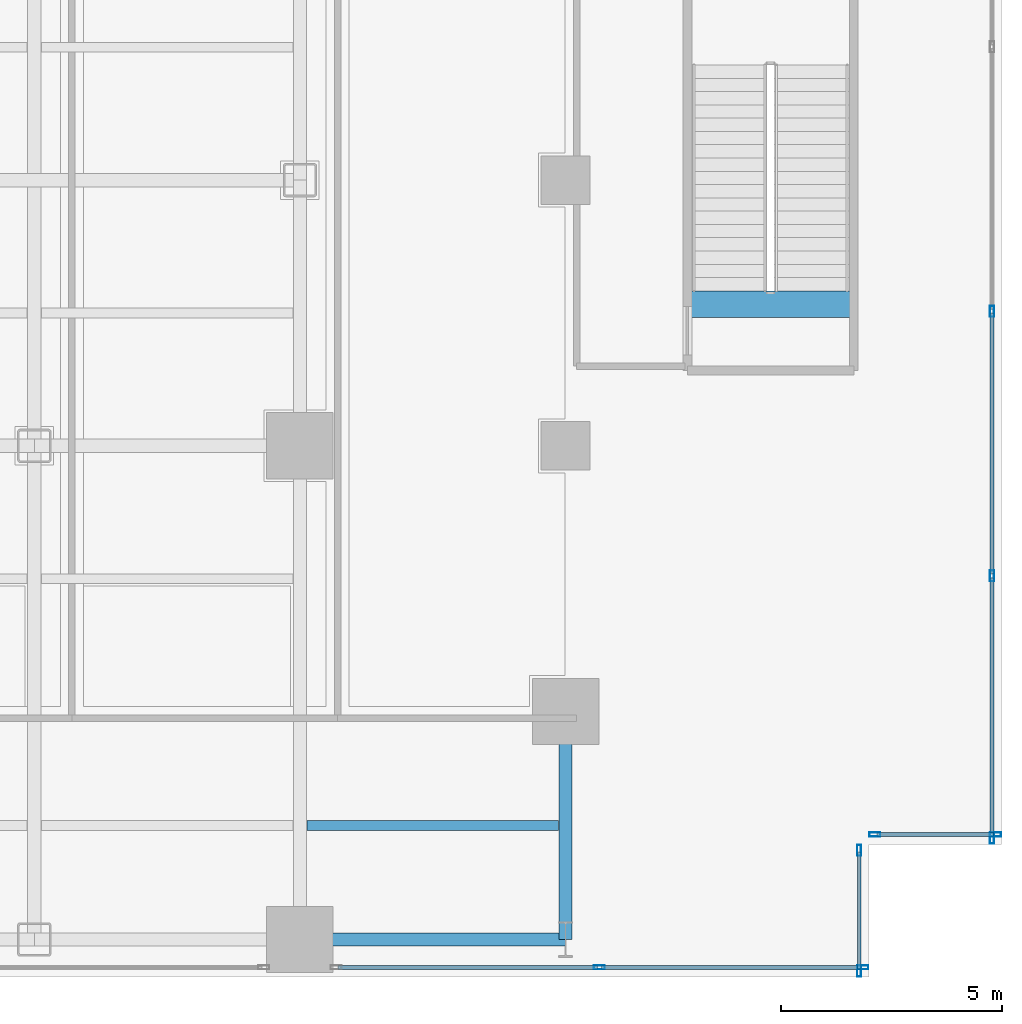
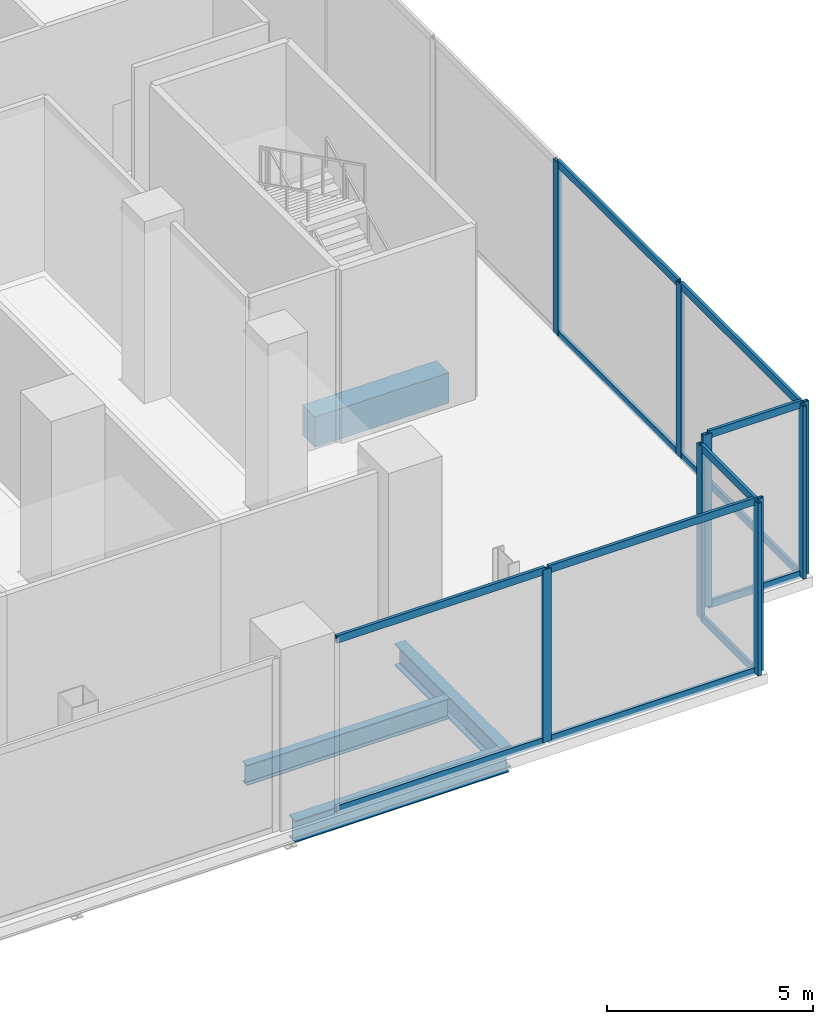
# One storey, part 10 of 27: 21 members, 4 beams, 4 elements without a shape of their own.
"""IFC4 building model written with IfcOpenShell, lengths in metres."""

import ifcopenshell
import ifcopenshell.guid

model = None  # the IFC model being written
_history = None  # IfcOwnerHistory: only IFC2X3 demands one
_inside = {}  # id of a spatial element -> (the spatial element, [elements in it])
_under = {}  # id of a project, library or spatial element -> (it, [spatial elements below it])
_declared = {}  # id of a project -> (the project, [libraries it declares])
_typed = {}  # id of a type object -> (the type object, [elements of that type])
_made_of = {}  # id of a material, layer set ... -> (it, [elements and type objects made of it])


def new_model(schema):
    """Start an empty IFC model of exactly this schema.

    Asked for "IFC4X3", IfcOpenShell would pick the latest addendum, in which some entities
    have other attributes; the version numbers below select the first issue.
    IFC2X3 requires an IfcOwnerHistory on every rooted entity: one is made here for all.
    """
    global model, _history
    if schema == "IFC4X3":
        model = ifcopenshell.file(schema_version=(4, 3, 0, 0))
    else:
        model = ifcopenshell.file(schema=schema)
    _inside.clear()
    _under.clear()
    _declared.clear()
    _typed.clear()
    _made_of.clear()
    _history = None
    if model.schema == "IFC2X3":
        org = make("IfcOrganization", Name="unknown")
        user = make(
            "IfcPersonAndOrganization",
            ThePerson=make("IfcPerson", FamilyName="unknown"),
            TheOrganization=org,
        )
        app = make(
            "IfcApplication",
            ApplicationDeveloper=org,
            Version="unknown",
            ApplicationFullName="unknown",
            ApplicationIdentifier="unknown",
        )
        _history = make(
            "IfcOwnerHistory",
            OwningUser=user,
            OwningApplication=app,
            ChangeAction="ADDED",
            CreationDate=0,
        )
    return model


def make(cls, **values):
    """One entity of the class cls with the attributes given. An attribute that is None is left unset."""
    return model.create_entity(
        cls, **{name: value for name, value in values.items() if value is not None}
    )


def rooted(cls, **values):
    """An entity with a GlobalId (a new one), such as an element, a storey or a relation."""
    return make(cls, GlobalId=ifcopenshell.guid.new(), OwnerHistory=_history, **values)


def si_unit(unit_type, name, prefix=None):
    """IfcSIUnit, for example si_unit("LENGTHUNIT", "METRE", prefix="MILLI")."""
    return make("IfcSIUnit", UnitType=unit_type, Prefix=prefix, Name=name)


def assignment(units):
    """IfcUnitAssignment: the units of a project."""
    return None if units is None else make("IfcUnitAssignment", Units=units)


def point(xyz):
    """IfcCartesianPoint."""
    return None if xyz is None else make("IfcCartesianPoint", Coordinates=xyz)


def direction(xyz):
    """IfcDirection."""
    return None if xyz is None else make("IfcDirection", DirectionRatios=xyz)


def frame(location, z_axis=None, x_axis=None):
    """IfcAxis2Placement3D, a coordinate frame: its origin and axes. An axis left out is left unset."""
    return make(
        "IfcAxis2Placement3D",
        Location=point(location),
        Axis=direction(z_axis),
        RefDirection=direction(x_axis),
    )


def frame_2d(location, x_axis=None):
    """IfcAxis2Placement2D, a coordinate frame in the plane: its origin and x axis."""
    return make(
        "IfcAxis2Placement2D", Location=point(location), RefDirection=direction(x_axis)
    )


def origin():
    """The frame at (0, 0, 0) with its axes left unset."""
    return frame((0.0, 0.0, 0.0))


def origin_2d():
    """The frame at (0, 0) in the plane with its x axis left unset."""
    return frame_2d((0.0, 0.0))


def place(relative_to, where):
    """IfcLocalPlacement: puts the frame where relative to a parent placement (None: the world)."""
    return make(
        "IfcLocalPlacement", PlacementRelTo=relative_to, RelativePlacement=where
    )


def context(
    kind, dimensions, precision=None, world=None, true_north=None, identifier=None
):
    """IfcGeometricRepresentationContext, for example the 3D "Model" context."""
    return make(
        "IfcGeometricRepresentationContext",
        ContextIdentifier=identifier,
        ContextType=kind,
        CoordinateSpaceDimension=dimensions,
        Precision=precision,
        WorldCoordinateSystem=world,
        TrueNorth=true_north,
    )


def subcontext(parent, identifier, kind, view, scale=None):
    """IfcGeometricRepresentationSubContext, for example "Body" below "Model"."""
    return make(
        "IfcGeometricRepresentationSubContext",
        ContextIdentifier=identifier,
        ContextType=kind,
        ParentContext=parent,
        TargetScale=scale,
        TargetView=view,
    )


def project(units=None, contexts=None):
    """IfcProject with its units and contexts."""
    return rooted(
        "IfcProject",
        Name="project",
        RepresentationContexts=contexts,
        UnitsInContext=assignment(units),
    )


def spatial(cls, under=None, at=None, **own):
    """A site, building, storey or space (cls), placed at a placement, below another one or the project."""
    s = rooted(cls, ObjectPlacement=at, **own)
    if under is not None:
        _under.setdefault(under.id(), (under, []))[1].append(s)
    return s


def profile(cls, at=None, kind="AREA", **sizes):
    """A parametric profile (cls). Its sizes go by their IFC names, for example OverallWidth=200.0."""
    return make(cls, ProfileType=kind, Position=at, **sizes)


def rectangle(**sizes):
    """IfcRectangleProfileDef."""
    return profile("IfcRectangleProfileDef", **sizes)


def hollow_rectangle(**sizes):
    """IfcRectangleHollowProfileDef."""
    return profile("IfcRectangleHollowProfileDef", **sizes)


def i_section(**sizes):
    """IfcIShapeProfileDef."""
    return profile("IfcIShapeProfileDef", **sizes)


def extrude(swept, where, along, depth):
    """IfcExtrudedAreaSolid: the profile swept, set in the frame where, extruded along a direction by depth."""
    return make(
        "IfcExtrudedAreaSolid",
        SweptArea=swept,
        Position=where,
        ExtrudedDirection=direction(along),
        Depth=depth,
    )


def shape(context_of_items, identifier, shape_type, items):
    """IfcShapeRepresentation: the items that make up one representation, for example the "Body"."""
    return make(
        "IfcShapeRepresentation",
        ContextOfItems=context_of_items,
        RepresentationIdentifier=identifier,
        RepresentationType=shape_type,
        Items=items,
    )


def material(Name=None, Category=None):
    """IfcMaterial."""
    return make("IfcMaterial", Name=Name, Category=Category)


def layer(
    of_material, thickness, ventilated=None, Name=None, Category=None, Priority=None
):
    """IfcMaterialLayer: one layer of a wall or slab, of a material (None: an air gap)."""
    return make(
        "IfcMaterialLayer",
        Material=of_material,
        LayerThickness=thickness,
        IsVentilated=ventilated,
        Name=Name,
        Category=Category,
        Priority=Priority,
    )


def layer_set(layers, Name=None):
    """IfcMaterialLayerSet."""
    return make("IfcMaterialLayerSet", MaterialLayers=layers, LayerSetName=Name)


def material_profile(
    of_material, cross_section, Name=None, Category=None, Priority=None
):
    """IfcMaterialProfile: a cross section and its material."""
    return make(
        "IfcMaterialProfile",
        Name=Name,
        Material=of_material,
        Profile=cross_section,
        Priority=Priority,
        Category=Category,
    )


def profile_set(profiles, Name=None, composite=None):
    """IfcMaterialProfileSet."""
    return make(
        "IfcMaterialProfileSet",
        Name=Name,
        MaterialProfiles=profiles,
        CompositeProfile=composite,
    )


def made_of(thing, what):
    """Note that an element or type object is made of a material, layer set ...; save() writes the relation."""
    if what is not None:
        _made_of.setdefault(what.id(), (what, []))[1].append(thing)
    return thing


def type_object(cls, material=None, **own):
    """A type object (cls), such as IfcWallType, which elements share."""
    return made_of(rooted(cls, **own), material)


def element(
    cls,
    number,
    at=None,
    inside=None,
    cuts=None,
    type_object=None,
    material=None,
    context=None,
    identifier="Body",
    shape_type=None,
    held_by="IfcProductDefinitionShape",
    body=None,
    shapes=None,
    **own,
):
    """One element of the class cls, such as IfcWall. Its Tag is "e" and its number.

    at: its placement. inside: the storey or other place that contains it. cuts: it is an
    opening in that element (IfcRelVoidsElement). A single representation is given by context,
    identifier, shape_type and body (its items); several are given by shapes. held_by: the class
    of the entity that holds the representations. save() writes the other relations.
    """
    e = rooted(cls, Tag="e%d" % number, ObjectPlacement=at, **own)
    if body is not None:
        shapes = [shape(context, identifier, shape_type, body)]
    if shapes is not None:
        e.Representation = make(held_by, Representations=shapes)
    if inside is not None:
        _inside.setdefault(inside.id(), (inside, []))[1].append(e)
    if cuts is not None:
        rooted(
            "IfcRelVoidsElement", RelatingBuildingElement=cuts, RelatedOpeningElement=e
        )
    if type_object is not None:
        _typed.setdefault(type_object.id(), (type_object, []))[1].append(e)
    return made_of(e, material)


def aggregate(whole, parts):
    """IfcRelAggregates: a whole, such as a stair, and the parts it consists of."""
    return rooted("IfcRelAggregates", RelatingObject=whole, RelatedObjects=parts)


def save(model, path):
    """Write the relations noted so far, then the file.

    IfcRelAggregates (storeys below a building ...), IfcRelContainedInSpatialStructure (elements
    in a storey), IfcRelDefinesByType, IfcRelAssociatesMaterial and IfcRelDeclares: one each for
    every whole, place, type object, material and project.
    """
    for whole, parts in _under.values():
        aggregate(whole, parts)
    for where, things in _inside.values():
        rooted(
            "IfcRelContainedInSpatialStructure",
            RelatedElements=things,
            RelatingStructure=where,
        )
    for kind, things in _typed.values():
        rooted("IfcRelDefinesByType", RelatedObjects=things, RelatingType=kind)
    for what, things in _made_of.values():
        rooted("IfcRelAssociatesMaterial", RelatedObjects=things, RelatingMaterial=what)
    for by, libraries in _declared.values():
        rooted("IfcRelDeclares", RelatingContext=by, RelatedDefinitions=libraries)
    model.write(path)


model = new_model("IFC4")

# Units and contexts
model_context = context("Model", 3, precision=1e-05, world=origin(), true_north=direction((0.0, 1.0)))
body_context = subcontext(model_context, "Body", "Model", "MODEL_VIEW")
ifc_project = project(units=[si_unit("LENGTHUNIT", "METRE"), si_unit("AREAUNIT", "SQUARE_METRE"), si_unit("VOLUMEUNIT", "CUBIC_METRE"), si_unit("PLANEANGLEUNIT", "RADIAN"), si_unit("MASSUNIT", "GRAM", prefix="KILO"), si_unit("THERMODYNAMICTEMPERATUREUNIT", "KELVIN"), si_unit("POWERUNIT", "WATT")], contexts=[model_context])

# Site, building, storey
site_placement = place(None, origin())
site = spatial("IfcSite", under=ifc_project, at=site_placement, CompositionType="ELEMENT")
building_placement = place(site_placement, origin())
building = spatial("IfcBuilding", under=site, at=building_placement, Name="Svarakhadi Broadcast Tower", CompositionType="ELEMENT")
storey_placement = place(building_placement, frame((0.0, 0.0, 16.5)))
storey = spatial("IfcBuildingStorey", under=building, at=storey_placement, Name="L03", CompositionType="ELEMENT", Elevation=16.5)

# Beam
ifc_material_1 = material(Name="Steel S355J2 (IS 2062 E350C)", Category="steel")
ifc_material_profile_1 = material_profile(ifc_material_1, i_section(OverallWidth=0.219970703125, OverallDepth=0.60009765625, WebThickness=0.011962890625, FlangeThickness=0.01904296875, FilletRadius=0.02392578125, at=origin_2d()), Name="NPB 600x220x122")
ifc_profile_set_1 = profile_set([ifc_material_profile_1], Name="Steel S355J2 (IS 2062 E350C)")
beam_type_1 = type_object("IfcBeamType", Name="Beam_NPB600", PredefinedType="BEAM", material=ifc_profile_set_1)
beam_1_placement = place(storey_placement, frame((47.31005859375, 3.425048828125, -0.60009765625), z_axis=(1.0, 0.0, 0.0), x_axis=(0.0, 1.0, 0.0)))
element("IfcBeam", 1, at=beam_1_placement, inside=storey, type_object=beam_type_1, Name="L03 Secondary Composite Beam SB027", PredefinedType="BEAM", context=body_context, shape_type="SweptSolid", body=[
    extrude(i_section(OverallWidth=0.219970703125, OverallDepth=0.60009765625, WebThickness=0.011962890625, FlangeThickness=0.01904296875, FilletRadius=0.02392578125, at=origin_2d()), origin(), (0.0, 0.0, 1.0), 5.679931640625),
])

# Curtain wall, members
ifc_material_2 = material(Name="Anodised Bronze Aluminium AA 6063-T6", Category="aluminium")
ifc_layer = layer(ifc_material_2, 0.25)
ifc_layer_set = layer_set([ifc_layer], Name="Anodised Bronze Aluminium AA 6063-T6")
curtain_wall_type = type_object("IfcCurtainWallType", Name="CW_Sys_01", PredefinedType="NOTDEFINED", material=ifc_layer_set)
curtain_wall_1_placement = place(storey_placement, origin())
curtain_wall_1 = element("IfcCurtainWall", 2, at=curtain_wall_1_placement, inside=storey, type_object=curtain_wall_type, Name="L03 Unitised Facade Curtain Wall 08", PredefinedType="NOTDEFINED")
ifc_material_profile_2 = material_profile(ifc_material_2, hollow_rectangle(XDim=0.094970703125, YDim=0.25, WallThickness=0.006103515625, at=origin_2d()), Name="ALU MULLION 250x95x6")
ifc_profile_set_2 = profile_set([ifc_material_profile_2], Name="Anodised Bronze Aluminium AA 6063-T6")
member_type_1 = type_object("IfcMemberType", Name="CW_Sys_01_Mul", PredefinedType="MULLION", material=ifc_profile_set_2)
member_1_placement = place(storey_placement, frame((62.780029296875, 15.03857421875, 0.0), z_axis=(0.0, 0.0, 1.0), x_axis=(1.0, 0.0, 0.0)))
member_1 = element("IfcMember", 3, at=member_1_placement, type_object=member_type_1, Name="CW-01 mullion 6", PredefinedType="MULLION", context=body_context, shape_type="SweptSolid", body=[
    extrude(hollow_rectangle(XDim=0.094970703125, YDim=0.25, WallThickness=0.006103515625, at=origin_2d()), origin(), (0.0, 0.0, 1.0), 5.125),
])
member_2_placement = place(storey_placement, frame((62.780029296875, 9.064208984375, 0.0), z_axis=(0.0, 0.0, 1.0), x_axis=(1.0, 0.0, 0.0)))
member_2 = element("IfcMember", 4, at=member_2_placement, type_object=member_type_1, Name="CW-01 mullion 7", PredefinedType="MULLION", context=body_context, shape_type="SweptSolid", body=[
    extrude(hollow_rectangle(XDim=0.094970703125, YDim=0.25, WallThickness=0.006103515625, at=origin_2d()), origin(), (0.0, 0.0, 1.0), 5.125),
])
member_3_placement = place(storey_placement, frame((62.780029296875, 3.137451171875, 0.0), z_axis=(0.0, 0.0, 1.0), x_axis=(1.0, 0.0, 0.0)))
member_3 = element("IfcMember", 5, at=member_3_placement, type_object=member_type_1, Name="CW-01 mullion 8", PredefinedType="MULLION", context=body_context, shape_type="SweptSolid", body=[
    extrude(hollow_rectangle(XDim=0.094970703125, YDim=0.25, WallThickness=0.006103515625, at=origin_2d()), origin(), (0.0, 0.0, 1.0), 5.125),
])

curtain_wall_2_placement = place(storey_placement, origin())
curtain_wall_2 = element("IfcCurtainWall", 6, at=curtain_wall_2_placement, inside=storey, type_object=curtain_wall_type, Name="L03 Unitised Facade Curtain Wall 09", PredefinedType="NOTDEFINED")
member_4_placement = place(storey_placement, frame((62.862548828125, 3.219970703125, 0.0), z_axis=(0.0, 0.0, 1.0), x_axis=(0.0, -1.0, 0.0)))
member_4 = element("IfcMember", 7, at=member_4_placement, type_object=member_type_1, Name="CW-01 mullion 1", PredefinedType="MULLION", context=body_context, shape_type="SweptSolid", body=[
    extrude(hollow_rectangle(XDim=0.094970703125, YDim=0.25, WallThickness=0.006103515625, at=origin_2d()), origin(), (0.0, 0.0, 1.0), 5.125),
])
member_5_placement = place(storey_placement, frame((60.137451171875, 3.219970703125, 0.0), z_axis=(0.0, 0.0, 1.0), x_axis=(0.0, -1.0, 0.0)))
member_5 = element("IfcMember", 8, at=member_5_placement, type_object=member_type_1, Name="CW-01 mullion 2", PredefinedType="MULLION", context=body_context, shape_type="SweptSolid", body=[
    extrude(hollow_rectangle(XDim=0.094970703125, YDim=0.25, WallThickness=0.006103515625, at=origin_2d()), origin(), (0.0, 0.0, 1.0), 5.125),
])

curtain_wall_3_placement = place(storey_placement, origin())
curtain_wall_3 = element("IfcCurtainWall", 9, at=curtain_wall_3_placement, inside=storey, type_object=curtain_wall_type, Name="L03 Unitised Facade Curtain Wall 10", PredefinedType="NOTDEFINED")
member_6_placement = place(storey_placement, frame((59.780029296875, 2.862548828125, 0.0), z_axis=(0.0, 0.0, 1.0), x_axis=(1.0, 0.0, 0.0)))
member_6 = element("IfcMember", 10, at=member_6_placement, type_object=member_type_1, Name="CW-01 mullion 1", PredefinedType="MULLION", context=body_context, shape_type="SweptSolid", body=[
    extrude(hollow_rectangle(XDim=0.094970703125, YDim=0.25, WallThickness=0.006103515625, at=origin_2d()), origin(), (0.0, 0.0, 1.0), 5.125),
])
member_7_placement = place(storey_placement, frame((59.780029296875, 0.137451171875, 0.0), z_axis=(0.0, 0.0, 1.0), x_axis=(1.0, 0.0, 0.0)))
member_7 = element("IfcMember", 11, at=member_7_placement, type_object=member_type_1, Name="CW-01 mullion 2", PredefinedType="MULLION", context=body_context, shape_type="SweptSolid", body=[
    extrude(hollow_rectangle(XDim=0.094970703125, YDim=0.25, WallThickness=0.006103515625, at=origin_2d()), origin(), (0.0, 0.0, 1.0), 5.125),
])

curtain_wall_4_placement = place(storey_placement, origin())
curtain_wall_4 = element("IfcCurtainWall", 12, at=curtain_wall_4_placement, inside=storey, type_object=curtain_wall_type, Name="L03 South Curtain Wall 11 Bay 1", PredefinedType="NOTDEFINED")
member_8_placement = place(storey_placement, frame((59.862548828125, 0.219970703125, 0.0), z_axis=(0.0, 0.0, 1.0), x_axis=(0.0, -1.0, 0.0)))
member_8 = element("IfcMember", 13, at=member_8_placement, type_object=member_type_1, Name="CW-01 mullion 1", PredefinedType="MULLION", context=body_context, shape_type="SweptSolid", body=[
    extrude(hollow_rectangle(XDim=0.094970703125, YDim=0.25, WallThickness=0.006103515625, at=origin_2d()), origin(), (0.0, 0.0, 1.0), 5.125),
])
member_9_placement = place(storey_placement, frame((53.9150390625, 0.219970703125, 0.0), z_axis=(0.0, 0.0, 1.0), x_axis=(0.0, -1.0, 0.0)))
member_9 = element("IfcMember", 14, at=member_9_placement, type_object=member_type_1, Name="CW-01 mullion 2", PredefinedType="MULLION", context=body_context, shape_type="SweptSolid", body=[
    extrude(hollow_rectangle(XDim=0.094970703125, YDim=0.25, WallThickness=0.006103515625, at=origin_2d()), origin(), (0.0, 0.0, 1.0), 5.125),
])

# Member
ifc_material_profile_3 = material_profile(ifc_material_2, hollow_rectangle(XDim=0.0849609375, YDim=0.219970703125, WallThickness=0.0048828125, at=origin_2d()), Name="ALU TRANSOM 220x85x5")
ifc_profile_set_3 = profile_set([ifc_material_profile_3], Name="Anodised Bronze Aluminium AA 6063-T6")
member_type_2 = type_object("IfcMemberType", Name="CW_Sys_01_Trn", PredefinedType="USERDEFINED", material=ifc_profile_set_3)
member_10_placement = place(storey_placement, frame((62.780029296875, 14.990966796875, 0.04248046875), z_axis=(0.0, -1.0, 0.0), x_axis=(1.0, 0.0, 0.0)))
member_10 = element("IfcMember", 15, at=member_10_placement, type_object=member_type_2, Name="CW-01 transom 6.1", ObjectType="TRANSOM", PredefinedType="USERDEFINED", context=body_context, shape_type="SweptSolid", body=[
    extrude(hollow_rectangle(XDim=0.0849609375, YDim=0.219970703125, WallThickness=0.0048828125, at=origin_2d()), origin(), (0.0, 0.0, 1.0), 5.879150390625),
])

member_11_placement = place(storey_placement, frame((62.780029296875, 14.990966796875, 5.08251953125), z_axis=(0.0, -1.0, 0.0), x_axis=(1.0, 0.0, 0.0)))
member_11 = element("IfcMember", 16, at=member_11_placement, type_object=member_type_2, Name="CW-01 transom 6.2", ObjectType="TRANSOM", PredefinedType="USERDEFINED", context=body_context, shape_type="SweptSolid", body=[
    extrude(hollow_rectangle(XDim=0.0849609375, YDim=0.219970703125, WallThickness=0.0048828125, at=origin_2d()), origin(), (0.0, 0.0, 1.0), 5.879150390625),
])

member_12_placement = place(storey_placement, frame((62.780029296875, 9.016845703125, 0.04248046875), z_axis=(0.0, -1.0, 0.0), x_axis=(1.0, 0.0, 0.0)))
member_12 = element("IfcMember", 17, at=member_12_placement, type_object=member_type_2, Name="CW-01 transom 7.1", ObjectType="TRANSOM", PredefinedType="USERDEFINED", context=body_context, shape_type="SweptSolid", body=[
    extrude(hollow_rectangle(XDim=0.0849609375, YDim=0.219970703125, WallThickness=0.0048828125, at=origin_2d()), origin(), (0.0, 0.0, 1.0), 5.831787109375),
])

member_13_placement = place(storey_placement, frame((62.780029296875, 9.016845703125, 5.08251953125), z_axis=(0.0, -1.0, 0.0), x_axis=(1.0, 0.0, 0.0)))
member_13 = element("IfcMember", 18, at=member_13_placement, type_object=member_type_2, Name="CW-01 transom 7.2", ObjectType="TRANSOM", PredefinedType="USERDEFINED", context=body_context, shape_type="SweptSolid", body=[
    extrude(hollow_rectangle(XDim=0.0849609375, YDim=0.219970703125, WallThickness=0.0048828125, at=origin_2d()), origin(), (0.0, 0.0, 1.0), 5.831787109375),
])

aggregate(curtain_wall_1, [member_1, member_2, member_3, member_10, member_11, member_12, member_13])

member_14_placement = place(storey_placement, frame((62.81494140625, 3.219970703125, 0.04248046875), z_axis=(-1.0, 0.0, 0.0), x_axis=(0.0, -1.0, 0.0)))
member_14 = element("IfcMember", 19, at=member_14_placement, type_object=member_type_2, Name="CW-01 transom 1.1", ObjectType="TRANSOM", PredefinedType="USERDEFINED", context=body_context, shape_type="SweptSolid", body=[
    extrude(hollow_rectangle(XDim=0.0849609375, YDim=0.219970703125, WallThickness=0.0048828125, at=origin_2d()), origin(), (0.0, 0.0, 1.0), 2.6298828125),
])

member_15_placement = place(storey_placement, frame((62.81494140625, 3.219970703125, 5.08251953125), z_axis=(-1.0, 0.0, 0.0), x_axis=(0.0, -1.0, 0.0)))
member_15 = element("IfcMember", 20, at=member_15_placement, type_object=member_type_2, Name="CW-01 transom 1.2", ObjectType="TRANSOM", PredefinedType="USERDEFINED", context=body_context, shape_type="SweptSolid", body=[
    extrude(hollow_rectangle(XDim=0.0849609375, YDim=0.219970703125, WallThickness=0.0048828125, at=origin_2d()), origin(), (0.0, 0.0, 1.0), 2.6298828125),
])

aggregate(curtain_wall_2, [member_4, member_5, member_14, member_15])

member_16_placement = place(storey_placement, frame((59.780029296875, 2.81494140625, 0.04248046875), z_axis=(0.0, -1.0, 0.0), x_axis=(1.0, 0.0, 0.0)))
member_16 = element("IfcMember", 21, at=member_16_placement, type_object=member_type_2, Name="CW-01 transom 1.1", ObjectType="TRANSOM", PredefinedType="USERDEFINED", context=body_context, shape_type="SweptSolid", body=[
    extrude(hollow_rectangle(XDim=0.0849609375, YDim=0.219970703125, WallThickness=0.0048828125, at=origin_2d()), origin(), (0.0, 0.0, 1.0), 2.6298828125),
])

member_17_placement = place(storey_placement, frame((59.780029296875, 2.81494140625, 5.08251953125), z_axis=(0.0, -1.0, 0.0), x_axis=(1.0, 0.0, 0.0)))
member_17 = element("IfcMember", 22, at=member_17_placement, type_object=member_type_2, Name="CW-01 transom 1.2", ObjectType="TRANSOM", PredefinedType="USERDEFINED", context=body_context, shape_type="SweptSolid", body=[
    extrude(hollow_rectangle(XDim=0.0849609375, YDim=0.219970703125, WallThickness=0.0048828125, at=origin_2d()), origin(), (0.0, 0.0, 1.0), 2.6298828125),
])

aggregate(curtain_wall_3, [member_6, member_7, member_16, member_17])

member_18_placement = place(storey_placement, frame((59.81494140625, 0.219970703125, 0.04248046875), z_axis=(-1.0, 0.0, 0.0), x_axis=(0.0, -1.0, 0.0)))
member_18 = element("IfcMember", 23, at=member_18_placement, type_object=member_type_2, Name="CW-01 transom 1.1", ObjectType="TRANSOM", PredefinedType="USERDEFINED", context=body_context, shape_type="SweptSolid", body=[
    extrude(hollow_rectangle(XDim=0.0849609375, YDim=0.219970703125, WallThickness=0.0048828125, at=origin_2d()), origin(), (0.0, 0.0, 1.0), 5.8525390625),
])

member_19_placement = place(storey_placement, frame((59.81494140625, 0.219970703125, 5.08251953125), z_axis=(-1.0, 0.0, 0.0), x_axis=(0.0, -1.0, 0.0)))
member_19 = element("IfcMember", 24, at=member_19_placement, type_object=member_type_2, Name="CW-01 transom 1.2", ObjectType="TRANSOM", PredefinedType="USERDEFINED", context=body_context, shape_type="SweptSolid", body=[
    extrude(hollow_rectangle(XDim=0.0849609375, YDim=0.219970703125, WallThickness=0.0048828125, at=origin_2d()), origin(), (0.0, 0.0, 1.0), 5.8525390625),
])

member_20_placement = place(storey_placement, frame((53.867431640625, 0.219970703125, 0.04248046875), z_axis=(-1.0, 0.0, 0.0), x_axis=(0.0, -1.0, 0.0)))
member_20 = element("IfcMember", 25, at=member_20_placement, type_object=member_type_2, Name="CW-01 transom 2.1", ObjectType="TRANSOM", PredefinedType="USERDEFINED", context=body_context, shape_type="SweptSolid", body=[
    extrude(hollow_rectangle(XDim=0.0849609375, YDim=0.219970703125, WallThickness=0.0048828125, at=origin_2d()), origin(), (0.0, 0.0, 1.0), 5.8525390625),
])

member_21_placement = place(storey_placement, frame((53.867431640625, 0.219970703125, 5.08251953125), z_axis=(-1.0, 0.0, 0.0), x_axis=(0.0, -1.0, 0.0)))
member_21 = element("IfcMember", 26, at=member_21_placement, type_object=member_type_2, Name="CW-01 transom 2.2", ObjectType="TRANSOM", PredefinedType="USERDEFINED", context=body_context, shape_type="SweptSolid", body=[
    extrude(hollow_rectangle(XDim=0.0849609375, YDim=0.219970703125, WallThickness=0.0048828125, at=origin_2d()), origin(), (0.0, 0.0, 1.0), 5.8525390625),
])

aggregate(curtain_wall_4, [member_8, member_9, member_18, member_19, member_20, member_21])

# Beams
ifc_material_3 = material(Name="Concrete C50/60 (IS 456 M60)", Category="concrete")
ifc_material_profile_4 = material_profile(ifc_material_3, rectangle(XDim=0.60009765625, YDim=0.89990234375, at=origin_2d()), Name="RC 600x900")
ifc_profile_set_4 = profile_set([ifc_material_profile_4], Name="Concrete C50/60 (IS 456 M60)")
beam_type_2 = type_object("IfcBeamType", Name="Coupling_RC600", PredefinedType="USERDEFINED", material=ifc_profile_set_4)
beam_2_placement = place(storey_placement, frame((55.89990234375, 15.199951171875, -0.449951171875), z_axis=(1.0, 0.0, 0.0), x_axis=(0.0, 1.0, 0.0)))
element("IfcBeam", 27, at=beam_2_placement, inside=storey, type_object=beam_type_2, Name="L03 Stair ST-04 Landing Throat Trimmer Beam CB-01", ObjectType="GIRDER", PredefinedType="USERDEFINED", context=body_context, shape_type="SweptSolid", body=[
    extrude(rectangle(XDim=0.60009765625, YDim=0.89990234375, at=origin_2d()), origin(), (0.0, 0.0, 1.0), 3.760009765625),
])
ifc_material_profile_5 = material_profile(ifc_material_1, i_section(OverallWidth=0.300048828125, OverallDepth=0.64990234375, WebThickness=0.01611328125, FlangeThickness=0.031005859375, FilletRadius=0.027099609375, at=origin_2d()), Name="WPB 650x300x225")
ifc_profile_set_5 = profile_set([ifc_material_profile_5], Name="Steel S355J2 (IS 2062 E350C)")
beam_type_3 = type_object("IfcBeamType", Name="Girder_WPB650", PredefinedType="USERDEFINED", material=ifc_profile_set_5)
beam_3_placement = place(storey_placement, frame((47.14990234375, 0.85009765625, -0.625), z_axis=(1.0, 0.0, 0.0), x_axis=(0.0, 1.0, 0.0)))
element("IfcBeam", 28, at=beam_3_placement, inside=storey, type_object=beam_type_3, Name="L03 Primary E-W Girder G011", ObjectType="GIRDER", PredefinedType="USERDEFINED", context=body_context, shape_type="SweptSolid", body=[
    extrude(i_section(OverallWidth=0.300048828125, OverallDepth=0.64990234375, WebThickness=0.01611328125, FlangeThickness=0.031005859375, FilletRadius=0.027099609375, at=origin_2d()), origin(), (0.0, 0.0, 1.0), 6.0),
])
beam_4_placement = place(storey_placement, frame((53.14990234375, 0.85009765625, -0.625), z_axis=(0.0, 1.0, 0.0), x_axis=(-1.0, 0.0, 0.0)))
element("IfcBeam", 29, at=beam_4_placement, inside=storey, type_object=beam_type_3, Name="L03 Primary N-S Girder G084", ObjectType="GIRDER", PredefinedType="USERDEFINED", context=body_context, shape_type="SweptSolid", body=[
    extrude(i_section(OverallWidth=0.300048828125, OverallDepth=0.64990234375, WebThickness=0.01611328125, FlangeThickness=0.031005859375, FilletRadius=0.027099609375, at=origin_2d()), origin(), (0.0, 0.0, 1.0), 5.14990234375),
])

save(model, "model.ifc")
